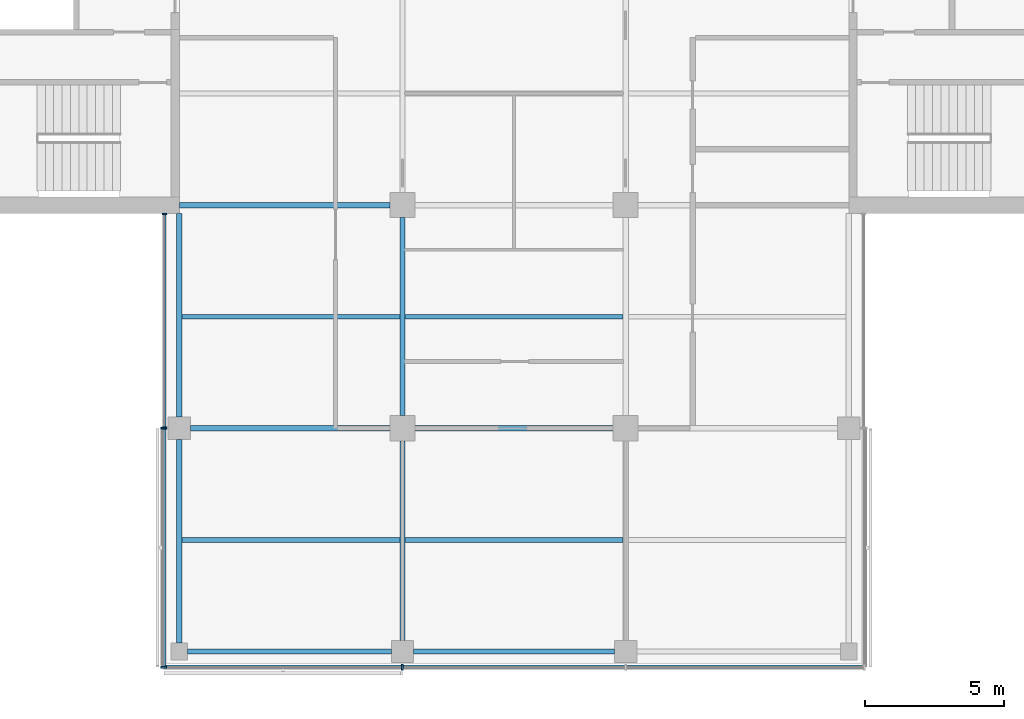
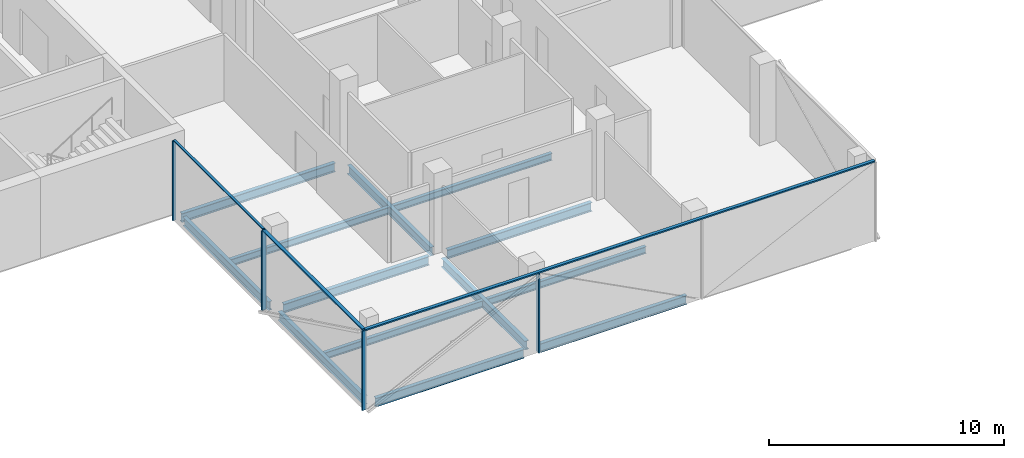
# One storey, part 2 of 15: 13 beams, 8 members, 3 elements without a shape of their own.
"""IFC4 building model written with IfcOpenShell, lengths in metres."""

import ifcopenshell
import ifcopenshell.guid

model = None  # the IFC model being written
_history = None  # IfcOwnerHistory: only IFC2X3 demands one
_inside = {}  # id of a spatial element -> (the spatial element, [elements in it])
_under = {}  # id of a project, library or spatial element -> (it, [spatial elements below it])
_declared = {}  # id of a project -> (the project, [libraries it declares])
_typed = {}  # id of a type object -> (the type object, [elements of that type])
_made_of = {}  # id of a material, layer set ... -> (it, [elements and type objects made of it])


def new_model(schema):
    """Start an empty IFC model of exactly this schema.

    Asked for "IFC4X3", IfcOpenShell would pick the latest addendum, in which some entities
    have other attributes; the version numbers below select the first issue.
    IFC2X3 requires an IfcOwnerHistory on every rooted entity: one is made here for all.
    """
    global model, _history
    if schema == "IFC4X3":
        model = ifcopenshell.file(schema_version=(4, 3, 0, 0))
    else:
        model = ifcopenshell.file(schema=schema)
    _inside.clear()
    _under.clear()
    _declared.clear()
    _typed.clear()
    _made_of.clear()
    _history = None
    if model.schema == "IFC2X3":
        org = make("IfcOrganization", Name="unknown")
        user = make(
            "IfcPersonAndOrganization",
            ThePerson=make("IfcPerson", FamilyName="unknown"),
            TheOrganization=org,
        )
        app = make(
            "IfcApplication",
            ApplicationDeveloper=org,
            Version="unknown",
            ApplicationFullName="unknown",
            ApplicationIdentifier="unknown",
        )
        _history = make(
            "IfcOwnerHistory",
            OwningUser=user,
            OwningApplication=app,
            ChangeAction="ADDED",
            CreationDate=0,
        )
    return model


def make(cls, **values):
    """One entity of the class cls with the attributes given. An attribute that is None is left unset."""
    return model.create_entity(
        cls, **{name: value for name, value in values.items() if value is not None}
    )


def rooted(cls, **values):
    """An entity with a GlobalId (a new one), such as an element, a storey or a relation."""
    return make(cls, GlobalId=ifcopenshell.guid.new(), OwnerHistory=_history, **values)


def si_unit(unit_type, name, prefix=None):
    """IfcSIUnit, for example si_unit("LENGTHUNIT", "METRE", prefix="MILLI")."""
    return make("IfcSIUnit", UnitType=unit_type, Prefix=prefix, Name=name)


def assignment(units):
    """IfcUnitAssignment: the units of a project."""
    return None if units is None else make("IfcUnitAssignment", Units=units)


def point(xyz):
    """IfcCartesianPoint."""
    return None if xyz is None else make("IfcCartesianPoint", Coordinates=xyz)


def direction(xyz):
    """IfcDirection."""
    return None if xyz is None else make("IfcDirection", DirectionRatios=xyz)


def frame(location, z_axis=None, x_axis=None):
    """IfcAxis2Placement3D, a coordinate frame: its origin and axes. An axis left out is left unset."""
    return make(
        "IfcAxis2Placement3D",
        Location=point(location),
        Axis=direction(z_axis),
        RefDirection=direction(x_axis),
    )


def frame_2d(location, x_axis=None):
    """IfcAxis2Placement2D, a coordinate frame in the plane: its origin and x axis."""
    return make(
        "IfcAxis2Placement2D", Location=point(location), RefDirection=direction(x_axis)
    )


def origin():
    """The frame at (0, 0, 0) with its axes left unset."""
    return frame((0.0, 0.0, 0.0))


def origin_2d():
    """The frame at (0, 0) in the plane with its x axis left unset."""
    return frame_2d((0.0, 0.0))


def place(relative_to, where):
    """IfcLocalPlacement: puts the frame where relative to a parent placement (None: the world)."""
    return make(
        "IfcLocalPlacement", PlacementRelTo=relative_to, RelativePlacement=where
    )


def context(
    kind, dimensions, precision=None, world=None, true_north=None, identifier=None
):
    """IfcGeometricRepresentationContext, for example the 3D "Model" context."""
    return make(
        "IfcGeometricRepresentationContext",
        ContextIdentifier=identifier,
        ContextType=kind,
        CoordinateSpaceDimension=dimensions,
        Precision=precision,
        WorldCoordinateSystem=world,
        TrueNorth=true_north,
    )


def subcontext(parent, identifier, kind, view, scale=None):
    """IfcGeometricRepresentationSubContext, for example "Body" below "Model"."""
    return make(
        "IfcGeometricRepresentationSubContext",
        ContextIdentifier=identifier,
        ContextType=kind,
        ParentContext=parent,
        TargetScale=scale,
        TargetView=view,
    )


def project(units=None, contexts=None):
    """IfcProject with its units and contexts."""
    return rooted(
        "IfcProject",
        Name="project",
        RepresentationContexts=contexts,
        UnitsInContext=assignment(units),
    )


def spatial(cls, under=None, at=None, **own):
    """A site, building, storey or space (cls), placed at a placement, below another one or the project."""
    s = rooted(cls, ObjectPlacement=at, **own)
    if under is not None:
        _under.setdefault(under.id(), (under, []))[1].append(s)
    return s


def profile(cls, at=None, kind="AREA", **sizes):
    """A parametric profile (cls). Its sizes go by their IFC names, for example OverallWidth=200.0."""
    return make(cls, ProfileType=kind, Position=at, **sizes)


def rectangle(**sizes):
    """IfcRectangleProfileDef."""
    return profile("IfcRectangleProfileDef", **sizes)


def i_section(**sizes):
    """IfcIShapeProfileDef."""
    return profile("IfcIShapeProfileDef", **sizes)


def extrude(swept, where, along, depth):
    """IfcExtrudedAreaSolid: the profile swept, set in the frame where, extruded along a direction by depth."""
    return make(
        "IfcExtrudedAreaSolid",
        SweptArea=swept,
        Position=where,
        ExtrudedDirection=direction(along),
        Depth=depth,
    )


def shape(context_of_items, identifier, shape_type, items):
    """IfcShapeRepresentation: the items that make up one representation, for example the "Body"."""
    return make(
        "IfcShapeRepresentation",
        ContextOfItems=context_of_items,
        RepresentationIdentifier=identifier,
        RepresentationType=shape_type,
        Items=items,
    )


def material(Name=None, Category=None):
    """IfcMaterial."""
    return make("IfcMaterial", Name=Name, Category=Category)


def material_profile(
    of_material, cross_section, Name=None, Category=None, Priority=None
):
    """IfcMaterialProfile: a cross section and its material."""
    return make(
        "IfcMaterialProfile",
        Name=Name,
        Material=of_material,
        Profile=cross_section,
        Priority=Priority,
        Category=Category,
    )


def profile_set(profiles, Name=None, composite=None):
    """IfcMaterialProfileSet."""
    return make(
        "IfcMaterialProfileSet",
        Name=Name,
        MaterialProfiles=profiles,
        CompositeProfile=composite,
    )


def made_of(thing, what):
    """Note that an element or type object is made of a material, layer set ...; save() writes the relation."""
    if what is not None:
        _made_of.setdefault(what.id(), (what, []))[1].append(thing)
    return thing


def type_object(cls, material=None, **own):
    """A type object (cls), such as IfcWallType, which elements share."""
    return made_of(rooted(cls, **own), material)


def element(
    cls,
    number,
    at=None,
    inside=None,
    cuts=None,
    type_object=None,
    material=None,
    context=None,
    identifier="Body",
    shape_type=None,
    held_by="IfcProductDefinitionShape",
    body=None,
    shapes=None,
    **own,
):
    """One element of the class cls, such as IfcWall. Its Tag is "e" and its number.

    at: its placement. inside: the storey or other place that contains it. cuts: it is an
    opening in that element (IfcRelVoidsElement). A single representation is given by context,
    identifier, shape_type and body (its items); several are given by shapes. held_by: the class
    of the entity that holds the representations. save() writes the other relations.
    """
    e = rooted(cls, Tag="e%d" % number, ObjectPlacement=at, **own)
    if body is not None:
        shapes = [shape(context, identifier, shape_type, body)]
    if shapes is not None:
        e.Representation = make(held_by, Representations=shapes)
    if inside is not None:
        _inside.setdefault(inside.id(), (inside, []))[1].append(e)
    if cuts is not None:
        rooted(
            "IfcRelVoidsElement", RelatingBuildingElement=cuts, RelatedOpeningElement=e
        )
    if type_object is not None:
        _typed.setdefault(type_object.id(), (type_object, []))[1].append(e)
    return made_of(e, material)


def aggregate(whole, parts):
    """IfcRelAggregates: a whole, such as a stair, and the parts it consists of."""
    return rooted("IfcRelAggregates", RelatingObject=whole, RelatedObjects=parts)


def save(model, path):
    """Write the relations noted so far, then the file.

    IfcRelAggregates (storeys below a building ...), IfcRelContainedInSpatialStructure (elements
    in a storey), IfcRelDefinesByType, IfcRelAssociatesMaterial and IfcRelDeclares: one each for
    every whole, place, type object, material and project.
    """
    for whole, parts in _under.values():
        aggregate(whole, parts)
    for where, things in _inside.values():
        rooted(
            "IfcRelContainedInSpatialStructure",
            RelatedElements=things,
            RelatingStructure=where,
        )
    for kind, things in _typed.values():
        rooted("IfcRelDefinesByType", RelatedObjects=things, RelatingType=kind)
    for what, things in _made_of.values():
        rooted("IfcRelAssociatesMaterial", RelatedObjects=things, RelatingMaterial=what)
    for by, libraries in _declared.values():
        rooted("IfcRelDeclares", RelatingContext=by, RelatedDefinitions=libraries)
    model.write(path)


model = new_model("IFC4")

# Units and contexts
model_context = context("Model", 3, precision=1e-05, world=origin(), true_north=direction((0.0, 1.0)))
body_context = subcontext(model_context, "Body", "Model", "MODEL_VIEW")
ifc_project = project(units=[si_unit("LENGTHUNIT", "METRE"), si_unit("AREAUNIT", "SQUARE_METRE"), si_unit("VOLUMEUNIT", "CUBIC_METRE"), si_unit("PLANEANGLEUNIT", "RADIAN"), si_unit("MASSUNIT", "GRAM", prefix="KILO")], contexts=[model_context])

# Site, building, storey
site_placement = place(None, origin())
site = spatial("IfcSite", under=ifc_project, at=site_placement, CompositionType="ELEMENT")
building_placement = place(site_placement, origin())
building = spatial("IfcBuilding", under=site, at=building_placement, Name="Crosswind Convention Tower", CompositionType="ELEMENT")
storey_placement = place(building_placement, frame((0.0, 0.0, 187.300048828125)))
storey = spatial("IfcBuildingStorey", under=building, at=storey_placement, Name="L39", CompositionType="ELEMENT", Elevation=187.300048828125)

# Beams
ifc_material_1 = material(Name="Steel S355", Category="steel")
ifc_material_profile_1 = material_profile(ifc_material_1, i_section(OverallWidth=0.18994140625, OverallDepth=0.45361328125, WebThickness=0.008544921875, FlangeThickness=0.0126953125, FilletRadius=0.01025390625, at=origin_2d()), Name="UB 457x191x67")
ifc_profile_set_1 = profile_set([ifc_material_profile_1], Name="Steel S355")
beam_type_1 = type_object("IfcBeamType", Name="Edge beam UB 457x191x67", PredefinedType="SPANDREL", material=ifc_profile_set_1)
for number, where, z_axis, x_axis, name in (
    (1, (113.0, 72.300048828125, -0.52685546875), (0.0, 1.0, 0.0), (-1.0, 0.0, 0.0), "B16 L39 edge beam 1"),
    (2, (113.0, 80.39990234375, -0.52685546875), (0.0, 1.0, 0.0), (-1.0, 0.0, 0.0), "B16 L39 edge beam 2"),
    (3, (113.300048828125, 72.0, -0.52685546875), (1.0, 0.0, 0.0), (0.0, 1.0, 0.0), "B16 L39 edge beam 5"),
):
    element("IfcBeam", number, at=place(storey_placement, frame(where, z_axis=z_axis, x_axis=x_axis)), inside=storey, type_object=beam_type_1, Name=name, PredefinedType="SPANDREL", context=body_context, shape_type="SweptSolid", body=[
        extrude(i_section(OverallWidth=0.18994140625, OverallDepth=0.45361328125, WebThickness=0.008544921875, FlangeThickness=0.0126953125, FilletRadius=0.01025390625, at=origin_2d()), origin(), (0.0, 0.0, 1.0), 7.300048828125),
    ])
beam_1_placement = place(storey_placement, frame((121.39990234375, 72.0, -0.52685546875), z_axis=(1.0, 0.0, 0.0), x_axis=(0.0, 1.0, 0.0)))
element("IfcBeam", 4, at=beam_1_placement, inside=storey, type_object=beam_type_1, Name="B16 L39 edge beam 7", PredefinedType="SPANDREL", context=body_context, shape_type="SweptSolid", body=[
    extrude(i_section(OverallWidth=0.18994140625, OverallDepth=0.45361328125, WebThickness=0.008544921875, FlangeThickness=0.0126953125, FilletRadius=0.01025390625, at=origin_2d()), origin(), (0.0, 0.0, 1.0), 7.2001953125),
])
ifc_material_profile_2 = material_profile(ifc_material_1, i_section(OverallWidth=0.1904296875, OverallDepth=0.457275390625, WebThickness=0.009033203125, FlangeThickness=0.014404296875, FilletRadius=0.01025390625, at=origin_2d()), Name="UB 457x191x75")
ifc_profile_set_2 = profile_set([ifc_material_profile_2], Name="Steel S355")
beam_type_2 = type_object("IfcBeamType", Name="Girder UB 457x191x75", PredefinedType="BEAM", material=ifc_profile_set_2)
for number, where, z_axis, x_axis, name in (
    (5, (113.39990234375, 80.0, -0.528564453125), (1.0, 0.0, 0.0), (0.0, 1.0, 0.0), "B2 L39 girder 1"),
    (6, (121.0, 72.39990234375, -0.528564453125), (0.0, 1.0, 0.0), (-1.0, 0.0, 0.0), "B2 L39 girder 3"),
):
    element("IfcBeam", number, at=place(storey_placement, frame(where, z_axis=z_axis, x_axis=x_axis)), inside=storey, type_object=beam_type_2, Name=name, PredefinedType="BEAM", context=body_context, shape_type="SweptSolid", body=[
        extrude(i_section(OverallWidth=0.1904296875, OverallDepth=0.457275390625, WebThickness=0.009033203125, FlangeThickness=0.014404296875, FilletRadius=0.01025390625, at=origin_2d()), origin(), (0.0, 0.0, 1.0), 7.150146484375),
    ])
for number, where, z_axis, x_axis, name in (
    (7, (121.0, 80.449951171875, -0.528564453125), (0.0, 1.0, 0.0), (-1.0, 0.0, 0.0), "B2 L39 girder 4"),
    (8, (121.449951171875, 80.0, -0.528564453125), (1.0, 0.0, 0.0), (0.0, 1.0, 0.0), "B2 L39 girder 10"),
):
    element("IfcBeam", number, at=place(storey_placement, frame(where, z_axis=z_axis, x_axis=x_axis)), inside=storey, type_object=beam_type_2, Name=name, PredefinedType="BEAM", context=body_context, shape_type="SweptSolid", body=[
        extrude(i_section(OverallWidth=0.1904296875, OverallDepth=0.457275390625, WebThickness=0.009033203125, FlangeThickness=0.014404296875, FilletRadius=0.01025390625, at=origin_2d()), origin(), (0.0, 0.0, 1.0), 7.10009765625),
    ])
ifc_material_profile_3 = material_profile(ifc_material_1, i_section(OverallWidth=0.19140625, OverallDepth=0.460205078125, WebThickness=0.010009765625, FlangeThickness=0.01611328125, FilletRadius=0.01025390625, at=origin_2d()), Name="UB 457x191x82")
ifc_profile_set_3 = profile_set([ifc_material_profile_3], Name="Steel S355")
beam_type_3 = type_object("IfcBeamType", Name="Girder at core wall UB 457x191x82", PredefinedType="BEAM", material=ifc_profile_set_3)
beam_2_placement = place(storey_placement, frame((113.0, 88.0, -0.530029296875), z_axis=(1.0, 0.0, 0.0), x_axis=(0.0, 1.0, 0.0)))
element("IfcBeam", 9, at=beam_2_placement, inside=storey, type_object=beam_type_3, Name="B23 L39 girder at core wall 1", PredefinedType="BEAM", context=body_context, shape_type="SweptSolid", body=[
    extrude(i_section(OverallWidth=0.19140625, OverallDepth=0.460205078125, WebThickness=0.010009765625, FlangeThickness=0.01611328125, FilletRadius=0.01025390625, at=origin_2d()), origin(), (0.0, 0.0, 1.0), 7.550048828125),
])

# Curtain wall, members
ifc_material_2 = material(Name="Aluminium unitised curtain wall", Category="aluminium")
curtain_wall_type_1 = type_object("IfcCurtainWallType", Name="CORE END SLOT WALL 160", PredefinedType="USERDEFINED", material=ifc_material_2)
curtain_wall_1_placement = place(storey_placement, origin())
curtain_wall_1 = element("IfcCurtainWall", 10, at=curtain_wall_1_placement, inside=storey, type_object=curtain_wall_type_1, Name="CW6 L39 S-W.1-1 slot", ObjectType="UNITISED", PredefinedType="USERDEFINED")
ifc_material_3 = material(Name="Aluminium mullion", Category="aluminium")
ifc_material_profile_4 = material_profile(ifc_material_3, rectangle(XDim=0.159912109375, YDim=0.050048828125, at=origin_2d()), Name="AL 160X50")
ifc_profile_set_4 = profile_set([ifc_material_profile_4], Name="Aluminium mullion")
member_type_1 = type_object("IfcMemberType", Name="MULLION 50X160", PredefinedType="MULLION", material=ifc_profile_set_4)
member_1_placement = place(storey_placement, frame((112.469970703125, 87.675048828125, -0.300048828125), z_axis=(0.0, 0.0, 1.0), x_axis=(-1.0, 0.0, 0.0)))
member_1 = element("IfcMember", 11, at=member_1_placement, type_object=member_type_1, Name="CW6 mullion 1", PredefinedType="MULLION", context=body_context, shape_type="SweptSolid", body=[
    extrude(rectangle(XDim=0.159912109375, YDim=0.050048828125, at=origin_2d()), origin(), (0.0, 0.0, 1.0), 4.14990234375),
])
member_2_placement = place(storey_placement, frame((112.469970703125, 80.02490234375, -0.300048828125), z_axis=(0.0, 0.0, 1.0), x_axis=(-1.0, 0.0, 0.0)))
member_2 = element("IfcMember", 12, at=member_2_placement, type_object=member_type_1, Name="CW6 mullion 2", PredefinedType="MULLION", context=body_context, shape_type="SweptSolid", body=[
    extrude(rectangle(XDim=0.159912109375, YDim=0.050048828125, at=origin_2d()), origin(), (0.0, 0.0, 1.0), 4.14990234375),
])

curtain_wall_type_2 = type_object("IfcCurtainWallType", Name="OFFICE UNITISED WALL 220", PredefinedType="USERDEFINED", material=ifc_material_2)
curtain_wall_2_placement = place(storey_placement, origin())
curtain_wall_2 = element("IfcCurtainWall", 13, at=curtain_wall_2_placement, inside=storey, type_object=curtain_wall_type_2, Name="CW3 L39 S-W 1", ObjectType="UNITISED", PredefinedType="USERDEFINED")
ifc_material_profile_5 = material_profile(ifc_material_3, rectangle(XDim=0.219970703125, YDim=0.070068359375, at=origin_2d()), Name="AL 220X70")
ifc_profile_set_5 = profile_set([ifc_material_profile_5], Name="Aluminium mullion")
member_type_2 = type_object("IfcMemberType", Name="MULLION 70X220", PredefinedType="MULLION", material=ifc_profile_set_5)
member_3_placement = place(storey_placement, frame((112.43994140625, 80.0, -0.300048828125), z_axis=(0.0, 0.0, 1.0), x_axis=(-1.0, 0.0, 0.0)))
member_3 = element("IfcMember", 14, at=member_3_placement, type_object=member_type_2, Name="CW3 mullion 1", PredefinedType="MULLION", context=body_context, shape_type="SweptSolid", body=[
    extrude(rectangle(XDim=0.219970703125, YDim=0.070068359375, at=origin_2d()), origin(), (0.0, 0.0, 1.0), 4.1298828125),
])
member_4_placement = place(storey_placement, frame((112.43994140625, 71.43994140625, -0.300048828125), z_axis=(0.0, 0.0, 1.0), x_axis=(-1.0, 0.0, 0.0)))
member_4 = element("IfcMember", 15, at=member_4_placement, type_object=member_type_2, Name="CW3 mullion 2", PredefinedType="MULLION", context=body_context, shape_type="SweptSolid", body=[
    extrude(rectangle(XDim=0.219970703125, YDim=0.070068359375, at=origin_2d()), origin(), (0.0, 0.0, 1.0), 4.1298828125),
])

# Curtain wall, member
curtain_wall_3_placement = place(storey_placement, origin())
curtain_wall_3 = element("IfcCurtainWall", 16, at=curtain_wall_3_placement, inside=storey, type_object=curtain_wall_type_2, Name="CW3 L39 S-TIP 1", ObjectType="UNITISED", PredefinedType="USERDEFINED")
member_5_placement = place(storey_placement, frame((121.0, 71.43994140625, -0.300048828125), z_axis=(0.0, 0.0, 1.0), x_axis=(0.0, -1.0, 0.0)))
member_5 = element("IfcMember", 17, at=member_5_placement, type_object=member_type_2, Name="CW3 mullion 2", PredefinedType="MULLION", context=body_context, shape_type="SweptSolid", body=[
    extrude(rectangle(XDim=0.219970703125, YDim=0.070068359375, at=origin_2d()), origin(), (0.0, 0.0, 1.0), 4.1298828125),
])

# Beams
ifc_material_profile_6 = material_profile(ifc_material_1, i_section(OverallWidth=0.172119140625, OverallDepth=0.358642578125, WebThickness=0.008056640625, FlangeThickness=0.012939453125, FilletRadius=0.01025390625, at=origin_2d()), Name="UB 356x171x57")
ifc_profile_set_6 = profile_set([ifc_material_profile_6], Name="Steel S355")
beam_type_4 = type_object("IfcBeamType", Name="Secondary beam UB 356x171x57", PredefinedType="JOIST", material=ifc_profile_set_6)
for number, where, z_axis, x_axis, name in (
    (18, (113.094970703125, 76.0, -0.479248046875), (1.0, 0.0, 0.0), (0.0, 1.0, 0.0), "B9 L39 secondary beam 4"),
    (19, (113.094970703125, 84.0, -0.479248046875), (1.0, 0.0, 0.0), (0.0, 1.0, 0.0), "B9 L39 secondary beam 5"),
):
    element("IfcBeam", number, at=place(storey_placement, frame(where, z_axis=z_axis, x_axis=x_axis)), inside=storey, type_object=beam_type_4, Name=name, PredefinedType="JOIST", context=body_context, shape_type="SweptSolid", body=[
        extrude(i_section(OverallWidth=0.172119140625, OverallDepth=0.358642578125, WebThickness=0.008056640625, FlangeThickness=0.012939453125, FilletRadius=0.01025390625, at=origin_2d()), origin(), (0.0, 0.0, 1.0), 7.809814453125),
    ])
for number, where, z_axis, x_axis, name in (
    (20, (121.09521484375, 76.0, -0.479248046875), (1.0, 0.0, 0.0), (0.0, 1.0, 0.0), "B9 L39 secondary beam 8"),
    (21, (121.09521484375, 84.0, -0.479248046875), (1.0, 0.0, 0.0), (0.0, 1.0, 0.0), "B9 L39 secondary beam 9"),
):
    element("IfcBeam", number, at=place(storey_placement, frame(where, z_axis=z_axis, x_axis=x_axis)), inside=storey, type_object=beam_type_4, Name=name, PredefinedType="JOIST", context=body_context, shape_type="SweptSolid", body=[
        extrude(i_section(OverallWidth=0.172119140625, OverallDepth=0.358642578125, WebThickness=0.008056640625, FlangeThickness=0.012939453125, FilletRadius=0.01025390625, at=origin_2d()), origin(), (0.0, 0.0, 1.0), 7.8095703125),
    ])

# Member
ifc_material_4 = material(Name="Aluminium transom", Category="aluminium")
ifc_material_profile_7 = material_profile(ifc_material_4, rectangle(XDim=0.1201171875, YDim=0.050048828125, at=origin_2d()), Name="AL 120X50")
ifc_profile_set_7 = profile_set([ifc_material_profile_7], Name="Aluminium transom")
member_type_3 = type_object("IfcMemberType", Name="TRANSOM 50X120", PredefinedType="USERDEFINED", material=ifc_profile_set_7)
member_6_placement = place(storey_placement, frame((112.469970703125, 87.64990234375, 3.875), z_axis=(0.0, -1.0, 0.0), x_axis=(1.0, 0.0, 0.0)))
member_6 = element("IfcMember", 22, at=member_6_placement, type_object=member_type_3, Name="CW6 transom", ObjectType="TRANSOM", PredefinedType="USERDEFINED", context=body_context, shape_type="SweptSolid", body=[
    extrude(rectangle(XDim=0.1201171875, YDim=0.050048828125, at=origin_2d()), origin(), (0.0, 0.0, 1.0), 7.599853515625),
])

aggregate(curtain_wall_1, [member_1, member_2, member_6])

ifc_material_profile_8 = material_profile(ifc_material_4, rectangle(XDim=0.159912109375, YDim=0.070068359375, at=origin_2d()), Name="AL 160X70")
ifc_profile_set_8 = profile_set([ifc_material_profile_8], Name="Aluminium transom")
member_type_4 = type_object("IfcMemberType", Name="TRANSOM 70X160", PredefinedType="USERDEFINED", material=ifc_profile_set_8)
member_7_placement = place(storey_placement, frame((112.43994140625, 79.965087890625, 3.864990234375), z_axis=(0.0, -1.0, 0.0), x_axis=(1.0, 0.0, 0.0)))
member_7 = element("IfcMember", 23, at=member_7_placement, type_object=member_type_4, Name="CW3 transom", ObjectType="TRANSOM", PredefinedType="USERDEFINED", context=body_context, shape_type="SweptSolid", body=[
    extrude(rectangle(XDim=0.159912109375, YDim=0.070068359375, at=origin_2d()), origin(), (0.0, 0.0, 1.0), 8.489990234375),
])

aggregate(curtain_wall_2, [member_3, member_4, member_7])

member_8_placement = place(storey_placement, frame((112.47509765625, 71.43994140625, 3.864990234375), z_axis=(1.0, 0.0, 0.0), x_axis=(0.0, 1.0, 0.0)))
member_8 = element("IfcMember", 24, at=member_8_placement, type_object=member_type_4, Name="CW3 transom", ObjectType="TRANSOM", PredefinedType="USERDEFINED", context=body_context, shape_type="SweptSolid", body=[
    extrude(rectangle(XDim=0.159912109375, YDim=0.070068359375, at=origin_2d()), origin(), (0.0, 0.0, 1.0), 25.0498046875),
])

aggregate(curtain_wall_3, [member_5, member_8])

save(model, "model.ifc")
